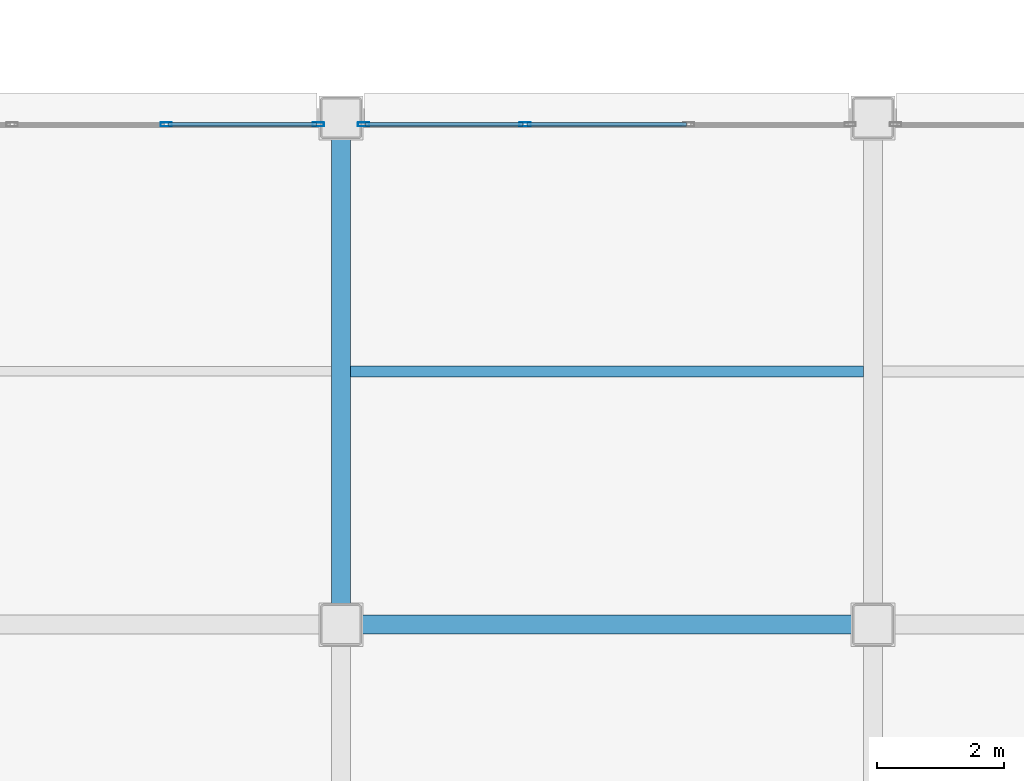
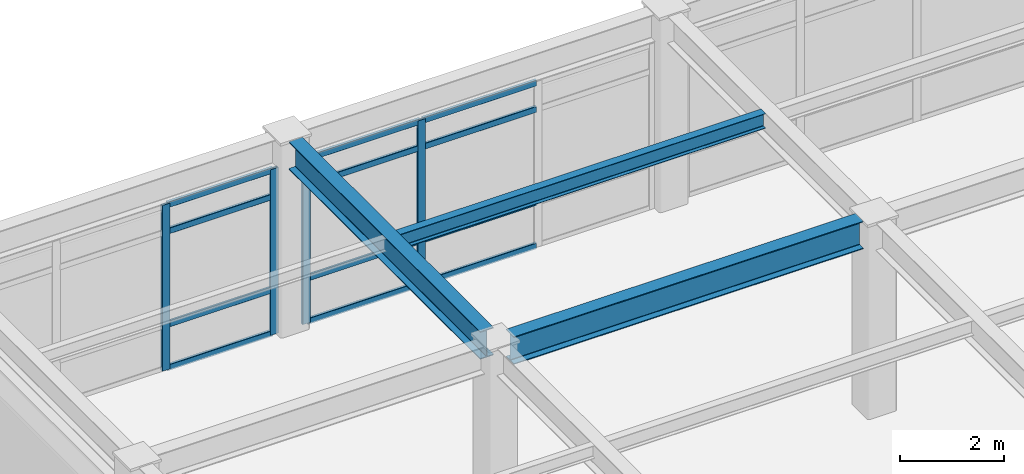
# One storey, part 31 of 93: 16 members, 3 beams, 2 elements without a shape of their own.
"""IFC4 building model written with IfcOpenShell, lengths in metres."""

from ifc_helpers import new_model, si_unit, direction, frame, origin, origin_2d, place, context, subcontext, project, spatial, hollow_rectangle, i_section, extrude, material, layer, layer_set, material_profile, profile_set, type_object, element, aggregate, save


model = new_model("IFC4")

# Units and contexts
model_context = context("Model", 3, precision=1e-05, world=origin(), true_north=direction((0.0, 1.0)))
body_context = subcontext(model_context, "Body", "Model", "MODEL_VIEW")
ifc_project = project(units=[si_unit("LENGTHUNIT", "METRE"), si_unit("AREAUNIT", "SQUARE_METRE"), si_unit("VOLUMEUNIT", "CUBIC_METRE"), si_unit("PLANEANGLEUNIT", "RADIAN"), si_unit("MASSUNIT", "GRAM", prefix="KILO")], contexts=[model_context])

# Site, building, storey
site_placement = place(None, origin())
site = spatial("IfcSite", under=ifc_project, at=site_placement, CompositionType="ELEMENT")
building_placement = place(site_placement, origin())
building = spatial("IfcBuilding", under=site, at=building_placement, Name="Kazehara Bluff Congress Hotel", CompositionType="ELEMENT")
storey_placement = place(building_placement, frame((0.0, 0.0, 15.0)))
storey = spatial("IfcBuildingStorey", under=building, at=storey_placement, Name="L03", CompositionType="ELEMENT", Elevation=15.0)

# Curtain wall, members
ifc_material_1 = material(Name="Anodised aluminium", Category="aluminium")
ifc_layer_1 = layer(ifc_material_1, 0.159912109375)
ifc_layer_set_1 = layer_set([ifc_layer_1], Name="Anodised aluminium")
curtain_wall_type_1 = type_object("IfcCurtainWallType", Name="TP-CW-80", PredefinedType="NOTDEFINED", material=ifc_layer_set_1)
curtain_wall_1_placement = place(storey_placement, origin())
curtain_wall_1 = element("IfcCurtainWall", 1, at=curtain_wall_1_placement, inside=storey, type_object=curtain_wall_type_1, Name="L03 curtain wall CW-80 CW-ENC-V5-L03-11452-3190", PredefinedType="NOTDEFINED")
ifc_material_2 = material(Name="Anodised aluminium", Category="aluminium")
ifc_material_profile_1 = material_profile(ifc_material_2, hollow_rectangle(XDim=0.06494140625, YDim=0.179931640625, WallThickness=0.00390625, InnerFilletRadius=0.00390625, OuterFilletRadius=0.008056640625, at=origin_2d()))
ifc_profile_set_1 = profile_set([ifc_material_profile_1], Name="Anodised aluminium")
member_type_1 = type_object("IfcMemberType", Name="TP-CWM-02", PredefinedType="MULLION", material=ifc_profile_set_1)
member_1_placement = place(storey_placement, frame((115.74169921875, 31.89990234375, 0.0), z_axis=(0.0, 0.0, 1.0), x_axis=(0.0, 1.0, 0.0)))
member_1 = element("IfcMember", 2, at=member_1_placement, type_object=member_type_1, Name="CW-80 mullion 3", PredefinedType="MULLION", context=body_context, shape_type="SweptSolid", body=[
    extrude(hollow_rectangle(XDim=0.06494140625, YDim=0.179931640625, WallThickness=0.00390625, InnerFilletRadius=0.00390625, OuterFilletRadius=0.008056640625, at=origin_2d()), origin(), (0.0, 0.0, 1.0), 3.885009765625),
])
member_2_placement = place(storey_placement, frame((118.142578125, 31.89990234375, 0.0), z_axis=(0.0, 0.0, 1.0), x_axis=(0.0, 1.0, 0.0)))
member_2 = element("IfcMember", 3, at=member_2_placement, type_object=member_type_1, Name="CW-80 mullion 4", PredefinedType="MULLION", context=body_context, shape_type="SweptSolid", body=[
    extrude(hollow_rectangle(XDim=0.06494140625, YDim=0.179931640625, WallThickness=0.00390625, InnerFilletRadius=0.00390625, OuterFilletRadius=0.008056640625, at=origin_2d()), origin(), (0.0, 0.0, 1.0), 3.885009765625),
])

ifc_material_3 = material(Name="Anodised aluminium", Category="aluminium")
ifc_layer_2 = layer(ifc_material_3, 0.159912109375)
ifc_layer_set_2 = layer_set([ifc_layer_2], Name="Anodised aluminium")
curtain_wall_type_2 = type_object("IfcCurtainWallType", Name="TP-CW-24", PredefinedType="NOTDEFINED", material=ifc_layer_set_2)
curtain_wall_2_placement = place(storey_placement, origin())
curtain_wall_2 = element("IfcCurtainWall", 4, at=curtain_wall_2_placement, inside=storey, type_object=curtain_wall_type_2, Name="L03 curtain wall CW-24 CW-ENC-V5-L03-12270-3190", PredefinedType="NOTDEFINED")
member_3_placement = place(storey_placement, frame((118.857421875, 31.89990234375, 0.0), z_axis=(0.0, 0.0, 1.0), x_axis=(0.0, 1.0, 0.0)))
member_3 = element("IfcMember", 5, at=member_3_placement, type_object=member_type_1, Name="CW-24 mullion 1", PredefinedType="MULLION", context=body_context, shape_type="SweptSolid", body=[
    extrude(hollow_rectangle(XDim=0.06494140625, YDim=0.179931640625, WallThickness=0.00390625, InnerFilletRadius=0.00390625, OuterFilletRadius=0.008056640625, at=origin_2d()), origin(), (0.0, 0.0, 1.0), 3.885009765625),
])
member_4_placement = place(storey_placement, frame((121.408447265625, 31.89990234375, 0.0), z_axis=(0.0, 0.0, 1.0), x_axis=(0.0, 1.0, 0.0)))
member_4 = element("IfcMember", 6, at=member_4_placement, type_object=member_type_1, Name="CW-24 mullion 2", PredefinedType="MULLION", context=body_context, shape_type="SweptSolid", body=[
    extrude(hollow_rectangle(XDim=0.06494140625, YDim=0.179931640625, WallThickness=0.00390625, InnerFilletRadius=0.00390625, OuterFilletRadius=0.008056640625, at=origin_2d()), origin(), (0.0, 0.0, 1.0), 3.885009765625),
])

# Member
ifc_material_4 = material(Name="Anodised aluminium", Category="aluminium")
ifc_material_profile_2 = material_profile(ifc_material_4, hollow_rectangle(XDim=0.06494140625, YDim=0.139892578125, WallThickness=0.00390625, InnerFilletRadius=0.00390625, OuterFilletRadius=0.008056640625, at=origin_2d()))
ifc_profile_set_2 = profile_set([ifc_material_profile_2], Name="Anodised aluminium")
member_type_2 = type_object("IfcMemberType", Name="TP-CWT-02", PredefinedType="USERDEFINED", material=ifc_profile_set_2)
member_5_placement = place(storey_placement, frame((115.774169921875, 31.89990234375, 0.032470703125), z_axis=(1.0, 0.0, 0.0), x_axis=(0.0, 1.0, 0.0)))
member_5 = element("IfcMember", 7, at=member_5_placement, type_object=member_type_2, Name="CW-80 transom 3.1", ObjectType="TRANSOM", PredefinedType="USERDEFINED", context=body_context, shape_type="SweptSolid", body=[
    extrude(hollow_rectangle(XDim=0.06494140625, YDim=0.139892578125, WallThickness=0.00390625, InnerFilletRadius=0.00390625, OuterFilletRadius=0.008056640625, at=origin_2d()), origin(), (0.0, 0.0, 1.0), 2.3359375),
])

member_6_placement = place(storey_placement, frame((115.774169921875, 31.89990234375, 1.050048828125), z_axis=(1.0, 0.0, 0.0), x_axis=(0.0, 1.0, 0.0)))
member_6 = element("IfcMember", 8, at=member_6_placement, type_object=member_type_2, Name="CW-80 transom 3.2", ObjectType="TRANSOM", PredefinedType="USERDEFINED", context=body_context, shape_type="SweptSolid", body=[
    extrude(hollow_rectangle(XDim=0.06494140625, YDim=0.139892578125, WallThickness=0.00390625, InnerFilletRadius=0.00390625, OuterFilletRadius=0.008056640625, at=origin_2d()), origin(), (0.0, 0.0, 1.0), 2.3359375),
])

member_7_placement = place(storey_placement, frame((115.774169921875, 31.89990234375, 3.235107421875), z_axis=(1.0, 0.0, 0.0), x_axis=(0.0, 1.0, 0.0)))
member_7 = element("IfcMember", 9, at=member_7_placement, type_object=member_type_2, Name="CW-80 transom 3.3", ObjectType="TRANSOM", PredefinedType="USERDEFINED", context=body_context, shape_type="SweptSolid", body=[
    extrude(hollow_rectangle(XDim=0.06494140625, YDim=0.139892578125, WallThickness=0.00390625, InnerFilletRadius=0.00390625, OuterFilletRadius=0.008056640625, at=origin_2d()), origin(), (0.0, 0.0, 1.0), 2.3359375),
])

member_8_placement = place(storey_placement, frame((115.774169921875, 31.89990234375, 3.8525390625), z_axis=(1.0, 0.0, 0.0), x_axis=(0.0, 1.0, 0.0)))
member_8 = element("IfcMember", 10, at=member_8_placement, type_object=member_type_2, Name="CW-80 transom 3.4", ObjectType="TRANSOM", PredefinedType="USERDEFINED", context=body_context, shape_type="SweptSolid", body=[
    extrude(hollow_rectangle(XDim=0.06494140625, YDim=0.139892578125, WallThickness=0.00390625, InnerFilletRadius=0.00390625, OuterFilletRadius=0.008056640625, at=origin_2d()), origin(), (0.0, 0.0, 1.0), 2.3359375),
])

aggregate(curtain_wall_1, [member_1, member_2, member_5, member_6, member_7, member_8])

member_9_placement = place(storey_placement, frame((118.889892578125, 31.89990234375, 0.032470703125), z_axis=(1.0, 0.0, 0.0), x_axis=(0.0, 1.0, 0.0)))
member_9 = element("IfcMember", 11, at=member_9_placement, type_object=member_type_2, Name="CW-24 transom 1.1", ObjectType="TRANSOM", PredefinedType="USERDEFINED", context=body_context, shape_type="SweptSolid", body=[
    extrude(hollow_rectangle(XDim=0.06494140625, YDim=0.139892578125, WallThickness=0.00390625, InnerFilletRadius=0.00390625, OuterFilletRadius=0.008056640625, at=origin_2d()), origin(), (0.0, 0.0, 1.0), 2.48583984375),
])

member_10_placement = place(storey_placement, frame((118.889892578125, 31.89990234375, 1.050048828125), z_axis=(1.0, 0.0, 0.0), x_axis=(0.0, 1.0, 0.0)))
member_10 = element("IfcMember", 12, at=member_10_placement, type_object=member_type_2, Name="CW-24 transom 1.2", ObjectType="TRANSOM", PredefinedType="USERDEFINED", context=body_context, shape_type="SweptSolid", body=[
    extrude(hollow_rectangle(XDim=0.06494140625, YDim=0.139892578125, WallThickness=0.00390625, InnerFilletRadius=0.00390625, OuterFilletRadius=0.008056640625, at=origin_2d()), origin(), (0.0, 0.0, 1.0), 2.48583984375),
])

member_11_placement = place(storey_placement, frame((118.889892578125, 31.89990234375, 3.235107421875), z_axis=(1.0, 0.0, 0.0), x_axis=(0.0, 1.0, 0.0)))
member_11 = element("IfcMember", 13, at=member_11_placement, type_object=member_type_2, Name="CW-24 transom 1.3", ObjectType="TRANSOM", PredefinedType="USERDEFINED", context=body_context, shape_type="SweptSolid", body=[
    extrude(hollow_rectangle(XDim=0.06494140625, YDim=0.139892578125, WallThickness=0.00390625, InnerFilletRadius=0.00390625, OuterFilletRadius=0.008056640625, at=origin_2d()), origin(), (0.0, 0.0, 1.0), 2.48583984375),
])

member_12_placement = place(storey_placement, frame((118.889892578125, 31.89990234375, 3.8525390625), z_axis=(1.0, 0.0, 0.0), x_axis=(0.0, 1.0, 0.0)))
member_12 = element("IfcMember", 14, at=member_12_placement, type_object=member_type_2, Name="CW-24 transom 1.4", ObjectType="TRANSOM", PredefinedType="USERDEFINED", context=body_context, shape_type="SweptSolid", body=[
    extrude(hollow_rectangle(XDim=0.06494140625, YDim=0.139892578125, WallThickness=0.00390625, InnerFilletRadius=0.00390625, OuterFilletRadius=0.008056640625, at=origin_2d()), origin(), (0.0, 0.0, 1.0), 2.48583984375),
])

member_13_placement = place(storey_placement, frame((121.44091796875, 31.89990234375, 0.032470703125), z_axis=(1.0, 0.0, 0.0), x_axis=(0.0, 1.0, 0.0)))
member_13 = element("IfcMember", 15, at=member_13_placement, type_object=member_type_2, Name="CW-24 transom 2.1", ObjectType="TRANSOM", PredefinedType="USERDEFINED", context=body_context, shape_type="SweptSolid", body=[
    extrude(hollow_rectangle(XDim=0.06494140625, YDim=0.139892578125, WallThickness=0.00390625, InnerFilletRadius=0.00390625, OuterFilletRadius=0.008056640625, at=origin_2d()), origin(), (0.0, 0.0, 1.0), 2.518310546875),
])

member_14_placement = place(storey_placement, frame((121.44091796875, 31.89990234375, 1.050048828125), z_axis=(1.0, 0.0, 0.0), x_axis=(0.0, 1.0, 0.0)))
member_14 = element("IfcMember", 16, at=member_14_placement, type_object=member_type_2, Name="CW-24 transom 2.2", ObjectType="TRANSOM", PredefinedType="USERDEFINED", context=body_context, shape_type="SweptSolid", body=[
    extrude(hollow_rectangle(XDim=0.06494140625, YDim=0.139892578125, WallThickness=0.00390625, InnerFilletRadius=0.00390625, OuterFilletRadius=0.008056640625, at=origin_2d()), origin(), (0.0, 0.0, 1.0), 2.518310546875),
])

member_15_placement = place(storey_placement, frame((121.44091796875, 31.89990234375, 3.235107421875), z_axis=(1.0, 0.0, 0.0), x_axis=(0.0, 1.0, 0.0)))
member_15 = element("IfcMember", 17, at=member_15_placement, type_object=member_type_2, Name="CW-24 transom 2.3", ObjectType="TRANSOM", PredefinedType="USERDEFINED", context=body_context, shape_type="SweptSolid", body=[
    extrude(hollow_rectangle(XDim=0.06494140625, YDim=0.139892578125, WallThickness=0.00390625, InnerFilletRadius=0.00390625, OuterFilletRadius=0.008056640625, at=origin_2d()), origin(), (0.0, 0.0, 1.0), 2.518310546875),
])

member_16_placement = place(storey_placement, frame((121.44091796875, 31.89990234375, 3.8525390625), z_axis=(1.0, 0.0, 0.0), x_axis=(0.0, 1.0, 0.0)))
member_16 = element("IfcMember", 18, at=member_16_placement, type_object=member_type_2, Name="CW-24 transom 2.4", ObjectType="TRANSOM", PredefinedType="USERDEFINED", context=body_context, shape_type="SweptSolid", body=[
    extrude(hollow_rectangle(XDim=0.06494140625, YDim=0.139892578125, WallThickness=0.00390625, InnerFilletRadius=0.00390625, OuterFilletRadius=0.008056640625, at=origin_2d()), origin(), (0.0, 0.0, 1.0), 2.518310546875),
])

aggregate(curtain_wall_2, [member_3, member_4, member_9, member_10, member_11, member_12, member_13, member_14, member_15, member_16])

# Beams
ifc_material_5 = material(Name="Steel SN490B", Category="steel")
ifc_material_profile_3 = material_profile(ifc_material_5, i_section(OverallWidth=0.300048828125, OverallDepth=0.64990234375, WebThickness=0.011962890625, FlangeThickness=0.02001953125, FilletRadius=0.012939453125, at=origin_2d()))
ifc_profile_set_3 = profile_set([ifc_material_profile_3], Name="Steel SN490B")
beam_type_1 = type_object("IfcBeamType", Name="TP-G-03", PredefinedType="BEAM", material=ifc_profile_set_3)
beam_1_placement = place(storey_placement, frame((118.5, 24.324951171875, 4.235107421875), z_axis=(0.0, 1.0, 0.0), x_axis=(-1.0, 0.0, 0.0)))
element("IfcBeam", 19, at=beam_1_placement, inside=storey, type_object=beam_type_1, Name="L03 girder G-03 104", PredefinedType="BEAM", context=body_context, shape_type="SweptSolid", body=[
    extrude(i_section(OverallWidth=0.300048828125, OverallDepth=0.64990234375, WebThickness=0.011962890625, FlangeThickness=0.02001953125, FilletRadius=0.012939453125, at=origin_2d()), origin(), (0.0, 0.0, 1.0), 7.35009765625),
])
beam_2_placement = place(storey_placement, frame((118.824951171875, 24.0, 4.235107421875), z_axis=(1.0, 0.0, 0.0), x_axis=(0.0, 1.0, 0.0)))
element("IfcBeam", 20, at=beam_2_placement, inside=storey, type_object=beam_type_1, Name="L03 girder G-03 165", PredefinedType="BEAM", context=body_context, shape_type="SweptSolid", body=[
    extrude(i_section(OverallWidth=0.300048828125, OverallDepth=0.64990234375, WebThickness=0.011962890625, FlangeThickness=0.02001953125, FilletRadius=0.012939453125, at=origin_2d()), origin(), (0.0, 0.0, 1.0), 7.75),
])
ifc_material_6 = material(Name="Steel SN400B", Category="steel")
ifc_material_profile_4 = material_profile(ifc_material_6, i_section(OverallWidth=0.175048828125, OverallDepth=0.35009765625, WebThickness=0.007080078125, FlangeThickness=0.010986328125, FilletRadius=0.012939453125, at=origin_2d()))
ifc_profile_set_4 = profile_set([ifc_material_profile_4], Name="Steel SN400B")
beam_type_2 = type_object("IfcBeamType", Name="TP-J-02", PredefinedType="JOIST", material=ifc_profile_set_4)
beam_3_placement = place(storey_placement, frame((118.64990234375, 28.0, 4.385009765625), z_axis=(1.0, 0.0, 0.0), x_axis=(0.0, 1.0, 0.0)))
element("IfcBeam", 21, at=beam_3_placement, inside=storey, type_object=beam_type_2, Name="L03 secondary joist J-02 25", PredefinedType="JOIST", context=body_context, shape_type="SweptSolid", body=[
    extrude(i_section(OverallWidth=0.175048828125, OverallDepth=0.35009765625, WebThickness=0.007080078125, FlangeThickness=0.010986328125, FilletRadius=0.012939453125, at=origin_2d()), origin(), (0.0, 0.0, 1.0), 8.10009765625),
])

save(model, "model.ifc")
